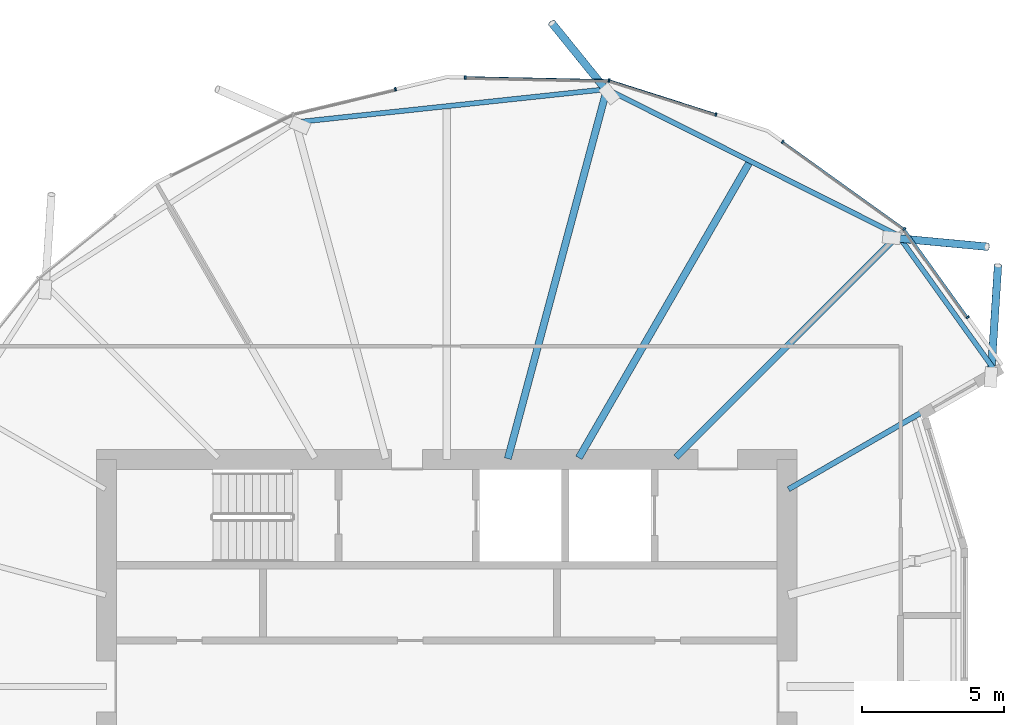
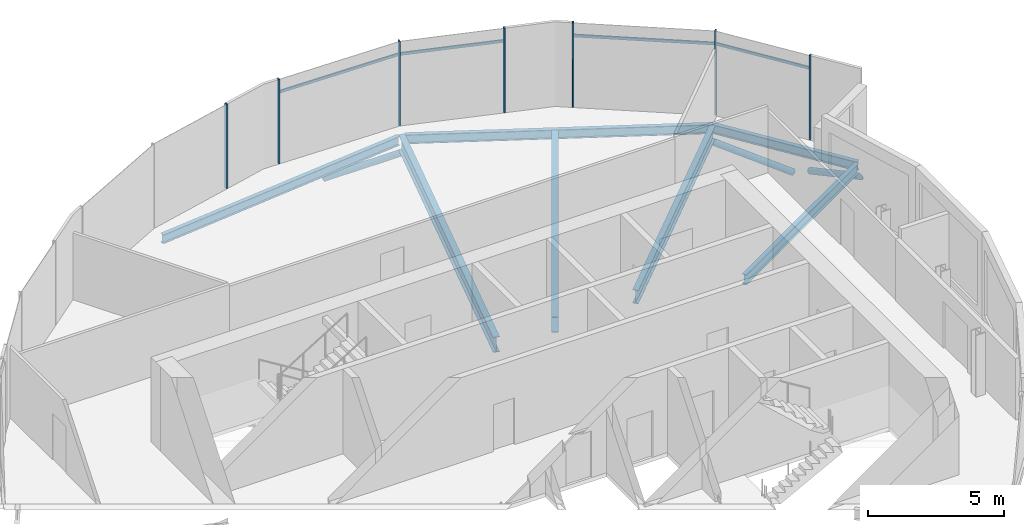
# One storey, part 17 of 39: 14 members, 7 beams, 1 element without a shape of its own.
"""IFC4 building model written with IfcOpenShell, lengths in metres."""

from ifc_helpers import new_model, si_unit, direction, frame, origin, origin_2d, place, context, subcontext, project, spatial, rectangle, hollow_circle, i_section, extrude, clip, halfspace, material, material_profile, profile_set, type_object, element, aggregate, save


model = new_model("IFC4")

# Units and contexts
model_context = context("Model", 3, precision=1e-05, world=origin(), true_north=direction((0.0, 1.0)))
body_context = subcontext(model_context, "Body", "Model", "MODEL_VIEW")
ifc_project = project(units=[si_unit("LENGTHUNIT", "METRE"), si_unit("AREAUNIT", "SQUARE_METRE"), si_unit("VOLUMEUNIT", "CUBIC_METRE"), si_unit("PLANEANGLEUNIT", "RADIAN"), si_unit("MASSUNIT", "GRAM", prefix="KILO")], contexts=[model_context])

# Site, building, storey
site_placement = place(None, origin())
site = spatial("IfcSite", under=ifc_project, at=site_placement, CompositionType="ELEMENT")
building_placement = place(site_placement, origin())
building = spatial("IfcBuilding", under=site, at=building_placement, Name="Rimbun Link Towers", CompositionType="ELEMENT")
storey_placement = place(building_placement, frame((0.0, 0.0, 139.199951171875)))
storey = spatial("IfcBuildingStorey", under=building, at=storey_placement, Name="L33", CompositionType="ELEMENT", Elevation=139.199951171875)

# Curtain wall, members
ifc_material_1 = material(Name="Aluminium 6063-T6 and low-iron glass", Category="aluminium")
curtain_wall_type = type_object("IfcCurtainWallType", Name="CW4 link block wall", PredefinedType="NOTDEFINED", material=ifc_material_1)
curtain_wall_placement = place(storey_placement, origin())
curtain_wall = element("IfcCurtainWall", 1, at=curtain_wall_placement, inside=storey, type_object=curtain_wall_type, Name="CW4 L33 T2", PredefinedType="NOTDEFINED")
ifc_material_2 = material(Name="Aluminium 6063-T6", Category="aluminium")
ifc_material_profile_1 = material_profile(ifc_material_2, rectangle(XDim=0.1201171875, YDim=0.06005859375, at=origin_2d()), Name="MULLION 60X120")
ifc_profile_set_1 = profile_set([ifc_material_profile_1], Name="Aluminium 6063-T6")
member_type_1 = type_object("IfcMemberType", Name="CW4 mullion 60X120", PredefinedType="MULLION", material=ifc_profile_set_1)
member_1_placement = place(storey_placement, frame((43.593994140625, 19.208984375, 0.0), z_axis=(0.0, 0.0, 1.0), x_axis=(0.58300948996, 0.81246534364, 0.0)))
member_1 = element("IfcMember", 2, at=member_1_placement, type_object=member_type_1, Name="CW4 mullion", PredefinedType="MULLION", context=body_context, shape_type="SweptSolid", body=[
    extrude(rectangle(XDim=0.1201171875, YDim=0.06005859375, at=origin_2d()), origin(), (0.0, 0.0, 1.0), 3.800048828125),
])
member_2_placement = place(storey_placement, frame((47.881591796875, 16.131591796875, 0.0), z_axis=(0.0, 0.0, 1.0), x_axis=(0.707106781187, 0.707106781187, 0.0)))
member_2 = element("IfcMember", 3, at=member_2_placement, type_object=member_type_1, Name="CW4 mullion", PredefinedType="MULLION", context=body_context, shape_type="SweptSolid", body=[
    extrude(rectangle(XDim=0.1201171875, YDim=0.06005859375, at=origin_2d()), origin(), (0.0, 0.0, 1.0), 3.800048828125),
])
member_3_placement = place(storey_placement, frame((37.469970703125, 21.3701171875, 0.0), z_axis=(0.0, 0.0, 1.0), x_axis=(0.163742365799, 0.986503136154, 0.0)))
member_3 = element("IfcMember", 4, at=member_3_placement, type_object=member_type_1, Name="CW4 mullion", PredefinedType="MULLION", context=body_context, shape_type="SweptSolid", body=[
    extrude(rectangle(XDim=0.1201171875, YDim=0.06005859375, at=origin_2d()), origin(), (0.0, 0.0, 1.0), 3.800048828125),
])
member_4_placement = place(storey_placement, frame((41.238525390625, 20.17236328125, 0.0), z_axis=(0.0, 0.0, 1.0), x_axis=(0.303059612182, 0.952971600555, 0.0)))
member_4 = element("IfcMember", 5, at=member_4_placement, type_object=member_type_1, Name="CW4 mullion", PredefinedType="MULLION", context=body_context, shape_type="SweptSolid", body=[
    extrude(rectangle(XDim=0.1201171875, YDim=0.06005859375, at=origin_2d()), origin(), (0.0, 0.0, 1.0), 3.800048828125),
])
member_5_placement = place(storey_placement, frame((32.401123046875, 21.4775390625, 0.0), z_axis=(0.0, 0.0, 1.0), x_axis=(0.021062889527, 0.999778152734, 0.0)))
member_5 = element("IfcMember", 6, at=member_5_placement, type_object=member_type_1, Name="CW4 mullion", PredefinedType="MULLION", context=body_context, shape_type="SweptSolid", body=[
    extrude(rectangle(XDim=0.1201171875, YDim=0.06005859375, at=origin_2d()), origin(), (0.0, 0.0, 1.0), 3.800048828125),
])
member_6_placement = place(storey_placement, frame((29.936767578125, 21.059326171875, 0.0), z_axis=(0.0, 0.0, 1.0), x_axis=(-0.232587665973, 0.972575435448, 0.0)))
member_6 = element("IfcMember", 7, at=member_6_placement, type_object=member_type_1, Name="CW4 mullion", PredefinedType="MULLION", context=body_context, shape_type="SweptSolid", body=[
    extrude(rectangle(XDim=0.1201171875, YDim=0.06005859375, at=origin_2d()), origin(), (0.0, 0.0, 1.0), 3.800048828125),
])
member_7_placement = place(storey_placement, frame((50.11376953125, 13.022216796875, 0.0), z_axis=(0.0, 0.0, 1.0), x_axis=(0.81246534364, 0.58300948996, 0.0)))
member_7 = element("IfcMember", 8, at=member_7_placement, type_object=member_type_1, Name="CW4 mullion", PredefinedType="MULLION", context=body_context, shape_type="SweptSolid", body=[
    extrude(rectangle(XDim=0.1201171875, YDim=0.06005859375, at=origin_2d()), origin(), (0.0, 0.0, 1.0), 3.800048828125),
])
ifc_material_3 = material(Name="Aluminium 6063-T6", Category="aluminium")
ifc_material_profile_2 = material_profile(ifc_material_3, rectangle(XDim=0.06005859375, YDim=0.1201171875, at=origin_2d()), Name="TRANSOM 60X120")
ifc_profile_set_2 = profile_set([ifc_material_profile_2], Name="Aluminium 6063-T6")
member_type_2 = type_object("IfcMemberType", Name="CW4 transom 60X120", PredefinedType="USERDEFINED", material=ifc_profile_set_2)
member_8_placement = place(storey_placement, frame((43.6171875, 19.18994140625, 3.199951171875), z_axis=(0.812489980296, -0.58297515549, 0.0), x_axis=(0.58297515549, 0.812489980296, 0.0)))
member_8 = element("IfcMember", 9, at=member_8_placement, type_object=member_type_2, Name="CW4 transom", ObjectType="TRANSOM", PredefinedType="USERDEFINED", context=body_context, shape_type="SweptSolid", body=[
    extrude(rectangle(XDim=0.06005859375, YDim=0.1201171875, at=origin_2d()), origin(), (0.0, 0.0, 1.0), 5.2080078125),
])
member_9_placement = place(storey_placement, frame((37.50634765625, 21.357177734375, 3.199951171875), z_axis=(0.952959606223, -0.303097325801, 0.0), x_axis=(0.303097325801, 0.952959606223, 0.0)))
member_9 = element("IfcMember", 10, at=member_9_placement, type_object=member_type_2, Name="CW4 transom", ObjectType="TRANSOM", PredefinedType="USERDEFINED", context=body_context, shape_type="SweptSolid", body=[
    extrude(rectangle(XDim=0.06005859375, YDim=0.1201171875, at=origin_2d()), origin(), (0.0, 0.0, 1.0), 3.8857421875),
])
member_10_placement = place(storey_placement, frame((32.43115234375, 21.474853515625, 3.199951171875), z_axis=(0.99977865077, -0.021039236291, 0.0), x_axis=(0.021039236291, 0.99977865077, 0.0)))
member_10 = element("IfcMember", 11, at=member_10_placement, type_object=member_type_2, Name="CW4 transom", ObjectType="TRANSOM", PredefinedType="USERDEFINED", context=body_context, shape_type="SweptSolid", body=[
    extrude(rectangle(XDim=0.06005859375, YDim=0.1201171875, at=origin_2d()), origin(), (0.0, 0.0, 1.0), 5.00146484375),
])
member_11_placement = place(storey_placement, frame((47.90380859375, 16.0986328125, 3.199951171875), z_axis=(0.583006708958, -0.812467339227, 0.0), x_axis=(0.812467339227, 0.583006708958, 0.0)))
member_11 = element("IfcMember", 12, at=member_11_placement, type_object=member_type_2, Name="CW4 transom", ObjectType="TRANSOM", PredefinedType="USERDEFINED", context=body_context, shape_type="SweptSolid", body=[
    extrude(rectangle(XDim=0.06005859375, YDim=0.1201171875, at=origin_2d()), origin(), (0.0, 0.0, 1.0), 3.758056640625),
])
aggregate(curtain_wall, [member_1, member_2, member_3, member_4, member_5, member_6, member_7, member_8, member_9, member_10, member_11])

# Members
ifc_material_4 = material(Name="Steel S355J2H", Category="steel")
ifc_material_profile_3 = material_profile(ifc_material_4, hollow_circle(Radius=0.136474609375, WallThickness=0.012451171875, at=origin_2d()), Name="CHS 273x12.5")
ifc_profile_set_3 = profile_set([ifc_material_profile_3], Name="Steel S355J2H")
member_type_3 = type_object("IfcMemberType", Name="Floor edge link CHS 273x12.5", PredefinedType="BRACE", material=ifc_profile_set_3)
member_12_placement = place(storey_placement, frame((47.56005859375, 15.81005859375, -0.89404296875), z_axis=(0.810427644337, -0.075792759154, -0.580915218388), x_axis=(0.093115607733, 0.995655303605, 0.0)))
element("IfcMember", 13, at=member_12_placement, inside=storey, type_object=member_type_3, Name="Floor edge link T2 L33 00", PredefinedType="BRACE", context=body_context, shape_type="Clipping", body=[
    clip(extrude(hollow_circle(Radius=0.136474609375, WallThickness=0.012451171875, at=origin_2d()), frame((0.0, 0.0, -0.39990234375)), (0.0, 0.0, 1.0), 4.40380859375), halfspace(frame((0.0, 0.0, -0.1884765625), z_axis=(0.0, 0.813964071102, -0.580915218388)), False)),
])
member_13_placement = place(storey_placement, frame((37.380615234375, 21.013916015625, -0.9794921875), z_axis=(-0.533707226191, 0.659420427351, -0.529453772017), x_axis=(-0.777307880782, -0.629120384723, 0.0)))
element("IfcMember", 14, at=member_13_placement, inside=storey, type_object=member_type_3, Name="Floor edge link T2 L33 02", PredefinedType="BRACE", context=body_context, shape_type="Clipping", body=[
    clip(extrude(hollow_circle(Radius=0.136474609375, WallThickness=0.012451171875, at=origin_2d()), frame((0.0, 0.0, -0.456298828125)), (0.0, 0.0, 1.0), 4.072265625), halfspace(frame((0.0, 0.0, -0.21533203125), z_axis=(0.0, 0.8483387904, -0.529453772017)), False)),
])
member_14_placement = place(storey_placement, frame((50.946044921875, 11.0830078125, -0.752685546875), z_axis=(0.055288006557, 0.867864379354, -0.493715156117), x_axis=(-0.997976940401, 0.063576933145, 0.0)))
element("IfcMember", 15, at=member_14_placement, inside=storey, type_object=member_type_3, Name="Floor edge link T2 L33 23", PredefinedType="BRACE", context=body_context, shape_type="Clipping", body=[
    clip(extrude(hollow_circle(Radius=0.136474609375, WallThickness=0.012451171875, at=origin_2d()), frame((0.0, 0.0, -0.501220703125)), (0.0, 0.0, 1.0), 4.84619140625), halfspace(frame((0.0, 0.0, -0.237548828125), z_axis=(0.0, 0.869623679887, -0.493715156117)), False)),
])

# Beams
ifc_material_5 = material(Name="Steel S355J2", Category="steel")
ifc_material_profile_4 = material_profile(ifc_material_5, i_section(OverallWidth=0.177978515625, OverallDepth=0.406494140625, WebThickness=0.0078125, FlangeThickness=0.0126953125, at=origin_2d()), Name="UB 406x178x60")
ifc_profile_set_4 = profile_set([ifc_material_profile_4], Name="Steel S355J2")
beam_type_1 = type_object("IfcBeamType", Name="UB 406x178x60", PredefinedType="BEAM", material=ifc_profile_set_4)
beam_1_placement = place(storey_placement, frame((47.6591796875, 15.910400390625, -0.383056640625), z_axis=(-0.893764003773, 0.448537518564, 0.0), x_axis=(-0.448537518564, -0.893764003773, 0.0)))
element("IfcBeam", 16, at=beam_1_placement, inside=storey, type_object=beam_type_1, Name="Edge beam T2 L33 00-02", PredefinedType="BEAM", context=body_context, shape_type="SweptSolid", body=[
    extrude(i_section(OverallWidth=0.177978515625, OverallDepth=0.406494140625, WebThickness=0.0078125, FlangeThickness=0.0126953125, at=origin_2d()), origin(), (0.0, 0.0, 1.0), 11.355224609375),
])
beam_2_placement = place(storey_placement, frame((37.25732421875, 21.0478515625, -0.383056640625), z_axis=(-0.994380538527, -0.105864746721, 0.0), x_axis=(0.105864746721, -0.994380538527, 0.0)))
element("IfcBeam", 17, at=beam_2_placement, inside=storey, type_object=beam_type_1, Name="Edge beam T2 L33 02-04", PredefinedType="BEAM", context=body_context, shape_type="SweptSolid", body=[
    extrude(i_section(OverallWidth=0.177978515625, OverallDepth=0.406494140625, WebThickness=0.0078125, FlangeThickness=0.0126953125, at=origin_2d()), origin(), (0.0, 0.0, 1.0), 10.769775390625),
])
beam_3_placement = place(storey_placement, frame((51.067138671875, 11.15380859375, -0.383056640625), z_axis=(-0.582374631753, 0.81292053012, 0.0), x_axis=(-0.81292053012, -0.582374631753, 0.0)))
element("IfcBeam", 18, at=beam_3_placement, inside=storey, type_object=beam_type_1, Name="Edge beam T2 L33 23", PredefinedType="BEAM", context=body_context, shape_type="SweptSolid", body=[
    extrude(i_section(OverallWidth=0.177978515625, OverallDepth=0.406494140625, WebThickness=0.0078125, FlangeThickness=0.0126953125, at=origin_2d()), origin(), (0.0, 0.0, 1.0), 5.849853515625),
])
ifc_material_6 = material(Name="Steel S355J2", Category="steel")
ifc_material_profile_5 = material_profile(ifc_material_6, i_section(OverallWidth=0.18994140625, OverallDepth=0.453369140625, WebThickness=0.008544921875, FlangeThickness=0.0126953125, at=origin_2d()), Name="UB 457x191x67")
ifc_profile_set_5 = profile_set([ifc_material_profile_5], Name="Steel S355J2")
beam_type_2 = type_object("IfcBeamType", Name="UB 457x191x67", PredefinedType="BEAM", material=ifc_profile_set_5)
beam_4_placement = place(storey_placement, frame((43.79833984375, 6.9560546875, -0.40673828125), z_axis=(0.866023521831, 0.500003259625, 0.0), x_axis=(-0.500003259625, 0.866023521831, 0.0)))
element("IfcBeam", 19, at=beam_4_placement, inside=storey, type_object=beam_type_2, Name="Radial beam T2 L33 23", PredefinedType="BEAM", context=body_context, shape_type="SweptSolid", body=[
    extrude(i_section(OverallWidth=0.18994140625, OverallDepth=0.453369140625, WebThickness=0.008544921875, FlangeThickness=0.0126953125, at=origin_2d()), origin(), (0.0, 0.0, 1.0), 8.3037109375),
])
ifc_material_7 = material(Name="Steel S355J2", Category="steel")
ifc_material_profile_6 = material_profile(ifc_material_7, i_section(OverallWidth=0.2275390625, OverallDepth=0.6025390625, WebThickness=0.010498046875, FlangeThickness=0.014892578125, at=origin_2d()), Name="UB 610x229x101")
ifc_profile_set_6 = profile_set([ifc_material_profile_6], Name="Steel S355J2")
beam_type_3 = type_object("IfcBeamType", Name="UB 610x229x101", PredefinedType="BEAM", material=ifc_profile_set_6)
beam_5_placement = place(storey_placement, frame((39.831298828125, 8.081298828125, -0.481201171875), z_axis=(0.707106781187, 0.707106781187, 0.0), x_axis=(-0.707106781187, 0.707106781187, 0.0)))
element("IfcBeam", 20, at=beam_5_placement, inside=storey, type_object=beam_type_3, Name="Radial beam T2 L33 00", PredefinedType="BEAM", context=body_context, shape_type="SweptSolid", body=[
    extrude(i_section(OverallWidth=0.2275390625, OverallDepth=0.6025390625, WebThickness=0.010498046875, FlangeThickness=0.014892578125, at=origin_2d()), origin(), (0.0, 0.0, 1.0), 10.980224609375),
])
ifc_material_8 = material(Name="Steel S355J2", Category="steel")
ifc_material_profile_7 = material_profile(ifc_material_8, i_section(OverallWidth=0.253662109375, OverallDepth=0.68359375, WebThickness=0.012451171875, FlangeThickness=0.01904296875, at=origin_2d()), Name="UB 686x254x140")
ifc_profile_set_7 = profile_set([ifc_material_profile_7], Name="Steel S355J2")
beam_type_4 = type_object("IfcBeamType", Name="UB 686x254x140", PredefinedType="BEAM", material=ifc_profile_set_7)
beam_6_placement = place(storey_placement, frame((36.406005859375, 8.064208984375, -0.521728515625), z_axis=(0.499984479505, 0.866034364361, 0.0), x_axis=(-0.866034364361, 0.499984479505, 0.0)))
element("IfcBeam", 21, at=beam_6_placement, inside=storey, type_object=beam_type_4, Name="Radial beam T2 L33 01", PredefinedType="BEAM", context=body_context, shape_type="SweptSolid", body=[
    extrude(i_section(OverallWidth=0.253662109375, OverallDepth=0.68359375, WebThickness=0.012451171875, FlangeThickness=0.01904296875, at=origin_2d()), origin(), (0.0, 0.0, 1.0), 11.99072265625),
])
beam_7_placement = place(storey_placement, frame((33.902587890625, 8.03369140625, -0.521728515625), z_axis=(0.258817210165, 0.965926317957, 0.0), x_axis=(-0.965926317957, 0.258817210165, 0.0)))
element("IfcBeam", 22, at=beam_7_placement, inside=storey, type_object=beam_type_4, Name="Radial beam T2 L33 02", PredefinedType="BEAM", context=body_context, shape_type="SweptSolid", body=[
    extrude(i_section(OverallWidth=0.253662109375, OverallDepth=0.68359375, WebThickness=0.012451171875, FlangeThickness=0.01904296875, at=origin_2d()), origin(), (0.0, 0.0, 1.0), 13.488037109375),
])

save(model, "model.ifc")
